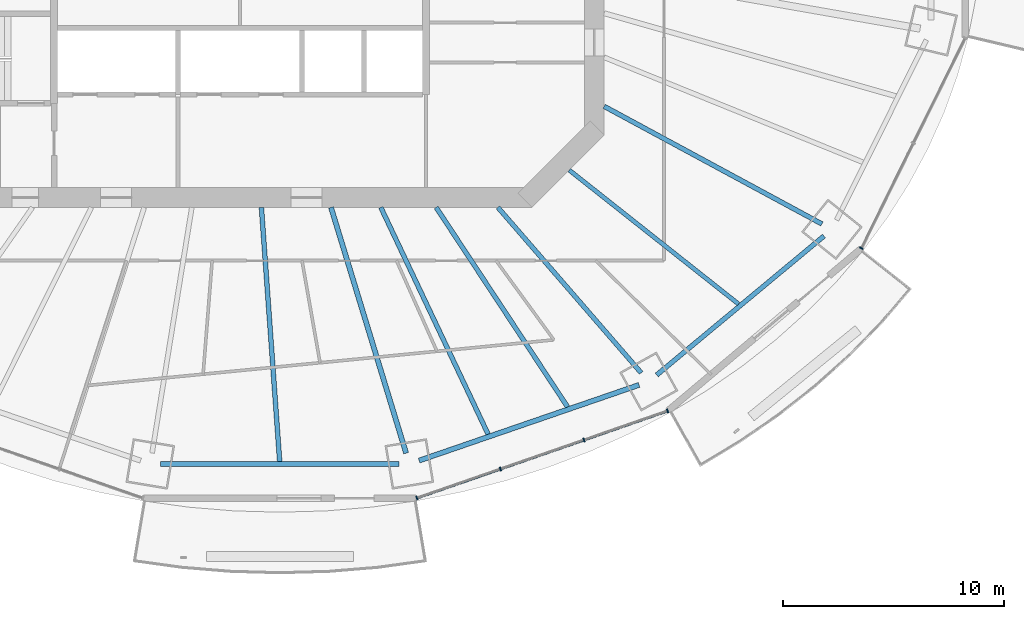
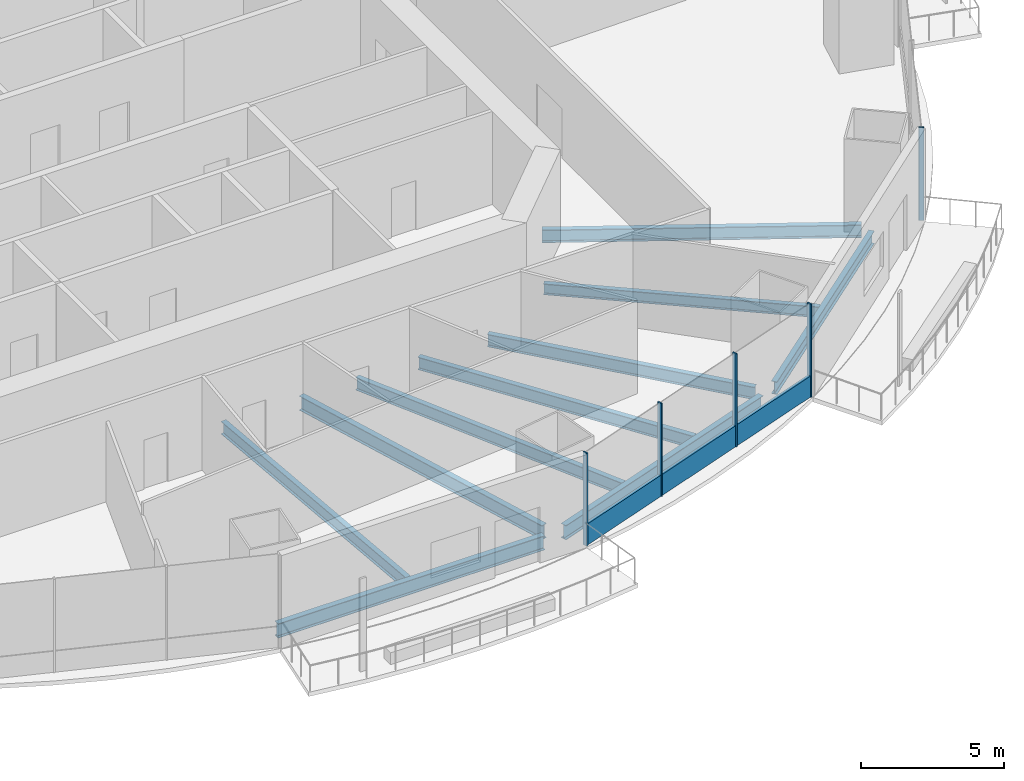
# One storey, part 4 of 21: 10 beams, 6 members, 2 elements without a shape of their own.
"""IFC4 building model written with IfcOpenShell, lengths in metres."""

from ifc_helpers import new_model, si_unit, direction, frame, origin, origin_2d, place, context, subcontext, project, spatial, rectangle, i_section, extrude, material, material_profile, profile_set, type_object, element, aggregate, save


model = new_model("IFC4")

# Units and contexts
model_context = context("Model", 3, precision=1e-05, world=origin(), true_north=direction((0.0, 1.0)))
body_context = subcontext(model_context, "Body", "Model", "MODEL_VIEW")
ifc_project = project(units=[si_unit("LENGTHUNIT", "METRE"), si_unit("AREAUNIT", "SQUARE_METRE"), si_unit("VOLUMEUNIT", "CUBIC_METRE"), si_unit("PLANEANGLEUNIT", "RADIAN"), si_unit("MASSUNIT", "GRAM", prefix="KILO")], contexts=[model_context])

# Site, building, storey
site_placement = place(None, origin())
site = spatial("IfcSite", under=ifc_project, at=site_placement, CompositionType="ELEMENT")
building_placement = place(site_placement, origin())
building = spatial("IfcBuilding", under=site, at=building_placement, Name="Marenthal Gate Tower", CompositionType="ELEMENT")
storey_placement = place(building_placement, frame((0.0, 0.0, 198.39990234375)))
storey = spatial("IfcBuildingStorey", under=building, at=storey_placement, Name="L43", CompositionType="ELEMENT", Elevation=198.39990234375)

# Curtain wall, members
ifc_material_1 = material(Name="Aluminium and glass", Category="aluminium")
curtain_wall_type = type_object("IfcCurtainWallType", Name="Curtain wall typical mid", PredefinedType="NOTDEFINED", material=ifc_material_1)
curtain_wall_1_placement = place(storey_placement, origin())
curtain_wall_1 = element("IfcCurtainWall", 1, at=curtain_wall_1_placement, inside=storey, type_object=curtain_wall_type, Name="Curtain wall L43 bay 13", PredefinedType="NOTDEFINED")
ifc_material_2 = material(Name="Aluminium", Category="aluminium")
ifc_material_profile_1 = material_profile(ifc_material_2, rectangle(XDim=0.179931640625, YDim=0.06005859375, at=origin_2d()), Name="60x180 aluminium mullion")
ifc_profile_set_1 = profile_set([ifc_material_profile_1], Name="Aluminium")
member_type_1 = type_object("IfcMemberType", Name="Mullion 60x180 typical mid", PredefinedType="MULLION", material=ifc_profile_set_1)
member_1_placement = place(storey_placement, frame((7.98779296875, -26.576171875, 0.0), z_axis=(0.0, 0.0, 1.0), x_axis=(-0.328332307555, 0.944562277362, 0.0)))
member_1 = element("IfcMember", 2, at=member_1_placement, type_object=member_type_1, Name="Mullion L43 bay 13.1", PredefinedType="MULLION", context=body_context, shape_type="SweptSolid", body=[
    extrude(rectangle(XDim=0.179931640625, YDim=0.06005859375, at=origin_2d()), origin(), (0.0, 0.0, 1.0), 3.97021484375),
])
member_2_placement = place(storey_placement, frame((11.7626953125, -25.263916015625, 0.0), z_axis=(0.0, 0.0, 1.0), x_axis=(-0.328332307555, 0.944562277362, 0.0)))
member_2 = element("IfcMember", 3, at=member_2_placement, type_object=member_type_1, Name="Mullion L43 bay 13.2", PredefinedType="MULLION", context=body_context, shape_type="SweptSolid", body=[
    extrude(rectangle(XDim=0.179931640625, YDim=0.06005859375, at=origin_2d()), origin(), (0.0, 0.0, 1.0), 3.97021484375),
])
member_3_placement = place(storey_placement, frame((15.537353515625, -23.951904296875, 0.0), z_axis=(0.0, 0.0, 1.0), x_axis=(-0.328332307555, 0.944562277362, 0.0)))
member_3 = element("IfcMember", 4, at=member_3_placement, type_object=member_type_1, Name="Mullion L43 bay 13.3", PredefinedType="MULLION", context=body_context, shape_type="SweptSolid", body=[
    extrude(rectangle(XDim=0.179931640625, YDim=0.06005859375, at=origin_2d()), origin(), (0.0, 0.0, 1.0), 3.97021484375),
])
member_4_placement = place(storey_placement, frame((19.312255859375, -22.6396484375, 0.0), z_axis=(0.0, 0.0, 1.0), x_axis=(-0.328332307555, 0.944562277362, 0.0)))
member_4 = element("IfcMember", 5, at=member_4_placement, type_object=member_type_1, Name="Mullion L43 bay 13.4", PredefinedType="MULLION", context=body_context, shape_type="SweptSolid", body=[
    extrude(rectangle(XDim=0.179931640625, YDim=0.06005859375, at=origin_2d()), origin(), (0.0, 0.0, 1.0), 3.97021484375),
])

# Curtain wall, member
curtain_wall_2_placement = place(storey_placement, origin())
curtain_wall_2 = element("IfcCurtainWall", 6, at=curtain_wall_2_placement, inside=storey, type_object=curtain_wall_type, Name="Curtain wall L43 bay 15", PredefinedType="NOTDEFINED")
member_5_placement = place(storey_placement, frame((28.064453125, -15.29296875, 0.0), z_axis=(0.0, 0.0, 1.0), x_axis=(-0.896715617309, 0.442607164057, 0.0)))
member_5 = element("IfcMember", 7, at=member_5_placement, type_object=member_type_1, Name="Mullion L43 bay 15.1", PredefinedType="MULLION", context=body_context, shape_type="SweptSolid", body=[
    extrude(rectangle(XDim=0.179931640625, YDim=0.06005859375, at=origin_2d()), origin(), (0.0, 0.0, 1.0), 3.97021484375),
])
aggregate(curtain_wall_2, [member_5])

# Member
ifc_material_3 = material(Name="Aluminium", Category="aluminium")
ifc_material_profile_2 = material_profile(ifc_material_3, rectangle(XDim=0.1201171875, YDim=0.89990234375, at=origin_2d()), Name="120x900 aluminium transom")
ifc_profile_set_2 = profile_set([ifc_material_profile_2], Name="Aluminium")
member_type_2 = type_object("IfcMemberType", Name="Transom 120x900 typical mid", PredefinedType="USERDEFINED", material=ifc_profile_set_2)
member_6_placement = place(storey_placement, frame((8.01611328125, -26.566162109375, 0.4501953125), z_axis=(0.944561661675, 0.328334078787, 0.0), x_axis=(-0.328334078787, 0.944561661675, 0.0)))
member_6 = element("IfcMember", 8, at=member_6_placement, type_object=member_type_2, Name="Transom L43 bay 13", ObjectType="TRANSOM", PredefinedType="USERDEFINED", context=body_context, shape_type="SweptSolid", body=[
    extrude(rectangle(XDim=0.1201171875, YDim=0.89990234375, at=origin_2d()), origin(), (0.0, 0.0, 1.0), 11.92919921875),
])

aggregate(curtain_wall_1, [member_1, member_2, member_3, member_4, member_6])

# Beams
ifc_material_4 = material(Name="Steel S355", Category="steel")
ifc_material_profile_3 = material_profile(ifc_material_4, i_section(OverallWidth=0.193115234375, OverallDepth=0.467041015625, WebThickness=0.011474609375, FlangeThickness=0.01904296875, FilletRadius=0.010009765625, at=origin_2d()), Name="W460X97")
ifc_profile_set_3 = profile_set([ifc_material_profile_3], Name="Steel S355")
beam_type_1 = type_object("IfcBeamType", Name="W460X97 beam", PredefinedType="BEAM", material=ifc_profile_set_3)
beam_1_placement = place(storey_placement, frame((22.51513671875, -17.811767578125, -0.413330078125), z_axis=(-0.784259115823, 0.620433428539, 0.0), x_axis=(-0.620433428539, -0.784259115823, 0.0)))
element("IfcBeam", 9, at=beam_1_placement, inside=storey, type_object=beam_type_1, Name="BM-L43-37", PredefinedType="BEAM", context=body_context, shape_type="SweptSolid", body=[
    extrude(i_section(OverallWidth=0.193115234375, OverallDepth=0.467041015625, WebThickness=0.011474609375, FlangeThickness=0.01904296875, FilletRadius=0.010009765625, at=origin_2d()), origin(), (0.0, 0.0, 1.0), 9.74609375),
])
ifc_material_5 = material(Name="Steel S355", Category="steel")
ifc_material_profile_4 = material_profile(ifc_material_5, i_section(OverallWidth=0.2099609375, OverallDepth=0.535888671875, WebThickness=0.010986328125, FlangeThickness=0.017333984375, FilletRadius=0.0126953125, at=origin_2d()), Name="W530X101")
ifc_profile_set_4 = profile_set([ifc_material_profile_4], Name="Steel S355")
beam_type_2 = type_object("IfcBeamType", Name="W530X101 beam", PredefinedType="BEAM", material=ifc_profile_set_4)
beam_2_placement = place(storey_placement, frame((18.12109375, -20.921630859375, -0.447998046875), z_axis=(-0.654698248464, 0.755890338249, 0.0), x_axis=(-0.755890338249, -0.654698248464, 0.0)))
element("IfcBeam", 10, at=beam_2_placement, inside=storey, type_object=beam_type_2, Name="BM-L43-14", PredefinedType="BEAM", context=body_context, shape_type="SweptSolid", body=[
    extrude(i_section(OverallWidth=0.2099609375, OverallDepth=0.535888671875, WebThickness=0.010986328125, FlangeThickness=0.017333984375, FilletRadius=0.0126953125, at=origin_2d()), origin(), (0.0, 0.0, 1.0), 9.884521484375),
])
beam_3_placement = place(storey_placement, frame((11.205810546875, -23.692138671875, -0.447998046875), z_axis=(-0.42755829338, 0.903987779653, 0.0), x_axis=(-0.903987779653, -0.42755829338, 0.0)))
element("IfcBeam", 11, at=beam_3_placement, inside=storey, type_object=beam_type_2, Name="BM-L43-35", PredefinedType="BEAM", context=body_context, shape_type="SweptSolid", body=[
    extrude(i_section(OverallWidth=0.2099609375, OverallDepth=0.535888671875, WebThickness=0.010986328125, FlangeThickness=0.017333984375, FilletRadius=0.0126953125, at=origin_2d()), origin(), (0.0, 0.0, 1.0), 11.330078125),
])
beam_4_placement = place(storey_placement, frame((14.793701171875, -22.45751953125, -0.447998046875), z_axis=(-0.550105699031, 0.835095036444, 0.0), x_axis=(-0.835095036444, -0.550105699031, 0.0)))
element("IfcBeam", 12, at=beam_4_placement, inside=storey, type_object=beam_type_2, Name="BM-L43-36", PredefinedType="BEAM", context=body_context, shape_type="SweptSolid", body=[
    extrude(i_section(OverallWidth=0.2099609375, OverallDepth=0.535888671875, WebThickness=0.010986328125, FlangeThickness=0.017333984375, FilletRadius=0.0126953125, at=origin_2d()), origin(), (0.0, 0.0, 1.0), 10.786376953125),
])
ifc_material_6 = material(Name="Steel S355", Category="steel")
ifc_material_profile_5 = material_profile(ifc_material_6, i_section(OverallWidth=0.2119140625, OverallDepth=0.5439453125, WebThickness=0.01318359375, FlangeThickness=0.021240234375, FilletRadius=0.0126953125, at=origin_2d()), Name="W530X123")
ifc_profile_set_5 = profile_set([ifc_material_profile_5], Name="Steel S355")
beam_type_3 = type_object("IfcBeamType", Name="W530X123 beam", PredefinedType="BEAM", material=ifc_profile_set_5)
beam_5_placement = place(storey_placement, frame((26.28271484375, -14.1962890625, -0.451904296875), z_axis=(-0.879855158012, 0.475241939352, 0.0), x_axis=(-0.475241939352, -0.879855158012, 0.0)))
element("IfcBeam", 13, at=beam_5_placement, inside=storey, type_object=beam_type_3, Name="BM-L43-15", PredefinedType="BEAM", context=body_context, shape_type="SweptSolid", body=[
    extrude(i_section(OverallWidth=0.2119140625, OverallDepth=0.5439453125, WebThickness=0.01318359375, FlangeThickness=0.021240234375, FilletRadius=0.0126953125, at=origin_2d()), origin(), (0.0, 0.0, 1.0), 11.175537109375),
])
beam_6_placement = place(storey_placement, frame((1.791748046875, -24.921875, -0.451904296875), z_axis=(-0.071704119012, 0.997425946783, 0.0), x_axis=(-0.997425946783, -0.071704119012, 0.0)))
element("IfcBeam", 14, at=beam_6_placement, inside=storey, type_object=beam_type_3, Name="BM-L43-34", PredefinedType="BEAM", context=body_context, shape_type="SweptSolid", body=[
    extrude(i_section(OverallWidth=0.2119140625, OverallDepth=0.5439453125, WebThickness=0.01318359375, FlangeThickness=0.021240234375, FilletRadius=0.0126953125, at=origin_2d()), origin(), (0.0, 0.0, 1.0), 11.50146484375),
])
beam_7_placement = place(storey_placement, frame((18.82177734375, -21.017822265625, -0.451904296875), z_axis=(0.769206538699, 0.639000235386, 0.0), x_axis=(-0.639000235386, 0.769206538699, 0.0)))
element("IfcBeam", 15, at=beam_7_placement, inside=storey, type_object=beam_type_3, Name="BM-L43-54", PredefinedType="BEAM", context=body_context, shape_type="SweptSolid", body=[
    extrude(i_section(OverallWidth=0.2119140625, OverallDepth=0.5439453125, WebThickness=0.01318359375, FlangeThickness=0.021240234375, FilletRadius=0.0126953125, at=origin_2d()), origin(), (0.0, 0.0, 1.0), 9.8212890625),
])
ifc_material_7 = material(Name="Steel S355", Category="steel")
ifc_material_profile_6 = material_profile(ifc_material_7, i_section(OverallWidth=0.22900390625, OverallDepth=0.612060546875, WebThickness=0.011962890625, FlangeThickness=0.01953125, FilletRadius=0.0126953125, at=origin_2d()), Name="W610X125")
ifc_profile_set_6 = profile_set([ifc_material_profile_6], Name="Steel S355")
beam_type_4 = type_object("IfcBeamType", Name="W610X125 beam", PredefinedType="BEAM", material=ifc_profile_set_6)
beam_8_placement = place(storey_placement, frame((7.50244140625, -24.5498046875, -0.48583984375), z_axis=(-0.292255409106, 0.956340303369, 0.0), x_axis=(-0.956340303369, -0.292255409106, 0.0)))
element("IfcBeam", 16, at=beam_8_placement, inside=storey, type_object=beam_type_4, Name="BM-L43-13", PredefinedType="BEAM", context=body_context, shape_type="SweptSolid", body=[
    extrude(i_section(OverallWidth=0.22900390625, OverallDepth=0.612060546875, WebThickness=0.011962890625, FlangeThickness=0.01953125, FilletRadius=0.0126953125, at=origin_2d()), origin(), (0.0, 0.0, 1.0), 11.606689453125),
])
beam_9_placement = place(storey_placement, frame((-3.588134765625, -25.036376953125, -0.48583984375), z_axis=(1.0, 0.0, 0.0), x_axis=(0.0, 1.0, 0.0)))
element("IfcBeam", 17, at=beam_9_placement, inside=storey, type_object=beam_type_4, Name="BM-L43-52", PredefinedType="BEAM", context=body_context, shape_type="SweptSolid", body=[
    extrude(i_section(OverallWidth=0.22900390625, OverallDepth=0.612060546875, WebThickness=0.011962890625, FlangeThickness=0.01953125, FilletRadius=0.0126953125, at=origin_2d()), origin(), (0.0, 0.0, 1.0), 10.7763671875),
])
beam_10_placement = place(storey_placement, frame((8.08935546875, -24.885498046875, -0.48583984375), z_axis=(0.945585416751, 0.325373968884, 0.0), x_axis=(-0.325373968884, 0.945585416751, 0.0)))
element("IfcBeam", 18, at=beam_10_placement, inside=storey, type_object=beam_type_4, Name="BM-L43-53", PredefinedType="BEAM", context=body_context, shape_type="SweptSolid", body=[
    extrude(i_section(OverallWidth=0.22900390625, OverallDepth=0.612060546875, WebThickness=0.011962890625, FlangeThickness=0.01953125, FilletRadius=0.0126953125, at=origin_2d()), origin(), (0.0, 0.0, 1.0), 10.50537109375),
])

save(model, "model.ifc")
